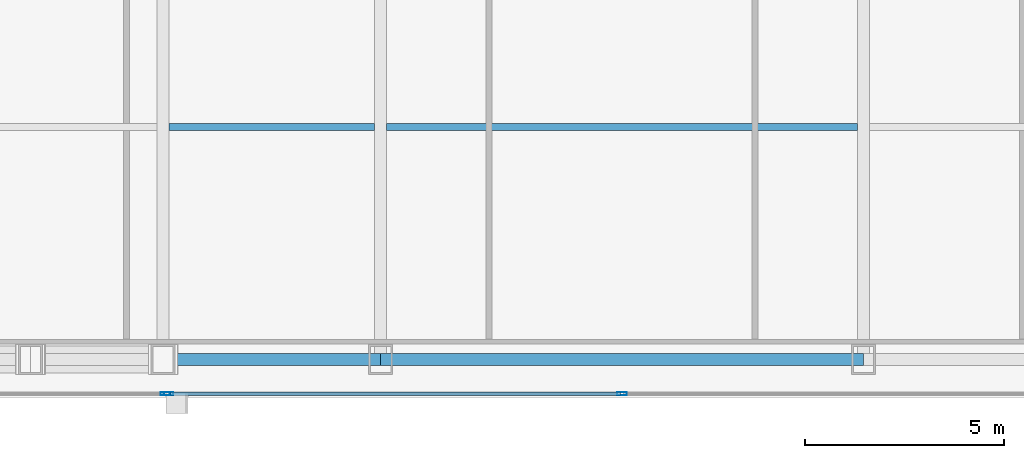
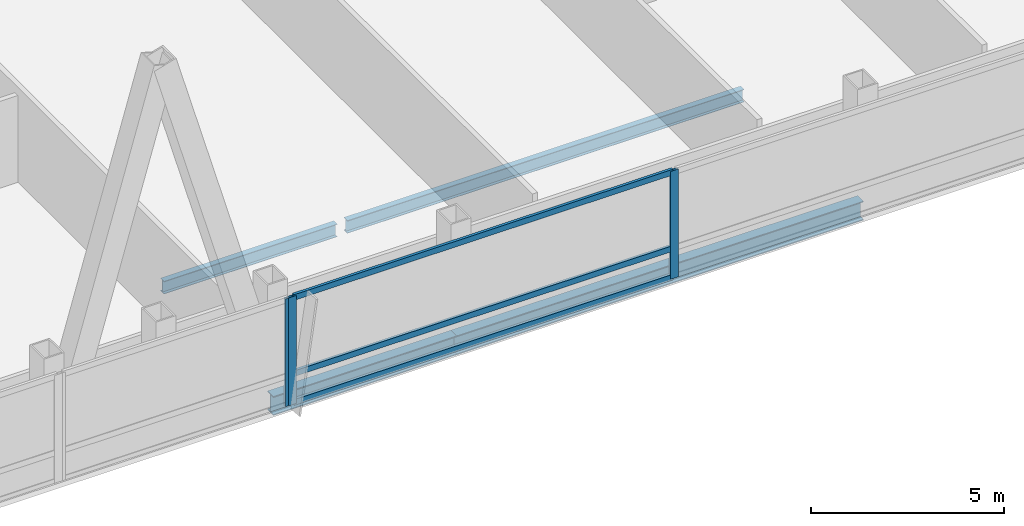
# One storey, part 8 of 31: 6 members, 4 beams, 2 elements without a shape of their own.
"""IFC4 building model written with IfcOpenShell, lengths in metres."""

from ifc_helpers import new_model, si_unit, direction, frame, origin, origin_2d, place, context, subcontext, project, spatial, hollow_rectangle, i_section, extrude, material, material_profile, profile_set, type_object, element, aggregate, save


model = new_model("IFC4")

# Units and contexts
model_context = context("Model", 3, precision=1e-05, world=origin(), true_north=direction((0.0, 1.0)))
body_context = subcontext(model_context, "Body", "Model", "MODEL_VIEW")
ifc_project = project(units=[si_unit("LENGTHUNIT", "METRE"), si_unit("AREAUNIT", "SQUARE_METRE"), si_unit("VOLUMEUNIT", "CUBIC_METRE"), si_unit("PLANEANGLEUNIT", "RADIAN"), si_unit("MASSUNIT", "GRAM", prefix="KILO")], contexts=[model_context])

# Site, building, storey
site_placement = place(None, origin())
site = spatial("IfcSite", under=ifc_project, at=site_placement, CompositionType="ELEMENT")
building_placement = place(site_placement, origin())
building = spatial("IfcBuilding", under=site, at=building_placement, Name="Khoronbel Lancet Exchange", CompositionType="ELEMENT")
storey_placement = place(building_placement, frame((0.0, 0.0, 261.800048828125)))
storey = spatial("IfcBuildingStorey", under=building, at=storey_placement, Name="L67", CompositionType="ELEMENT", Elevation=261.800048828125)

# Beams
ifc_material_1 = material(Name="Steel S355", Category="steel")
ifc_material_profile_1 = material_profile(ifc_material_1, i_section(OverallWidth=0.179931640625, OverallDepth=0.39990234375, WebThickness=0.008544921875, FlangeThickness=0.013427734375, at=origin_2d()), Name="IPE 400")
ifc_profile_set_1 = profile_set([ifc_material_profile_1], Name="Steel S355")
beam_type_1 = type_object("IfcBeamType", Name="BM-BJ5", PredefinedType="JOIST", material=ifc_profile_set_1)
beam_1_placement = place(storey_placement, frame((25.050048828125, 16.0, -0.360107421875), z_axis=(1.0, 0.0, 0.0), x_axis=(0.0, 1.0, 0.0)))
element("IfcBeam", 1, at=beam_1_placement, inside=storey, type_object=beam_type_1, Name="Level L67 secondary composite joist J02", PredefinedType="JOIST", context=body_context, shape_type="SweptSolid", body=[
    extrude(i_section(OverallWidth=0.179931640625, OverallDepth=0.39990234375, WebThickness=0.008544921875, FlangeThickness=0.013427734375, at=origin_2d()), origin(), (0.0, 0.0, 1.0), 5.175048828125),
])
beam_2_placement = place(storey_placement, frame((30.52490234375, 16.0, -0.360107421875), z_axis=(1.0, 0.0, 0.0), x_axis=(0.0, 1.0, 0.0)))
element("IfcBeam", 2, at=beam_2_placement, inside=storey, type_object=beam_type_1, Name="Level L67 secondary composite joist J03", PredefinedType="JOIST", context=body_context, shape_type="SweptSolid", body=[
    extrude(i_section(OverallWidth=0.179931640625, OverallDepth=0.39990234375, WebThickness=0.008544921875, FlangeThickness=0.013427734375, at=origin_2d()), origin(), (0.0, 0.0, 1.0), 11.85009765625),
])
ifc_material_profile_2 = material_profile(ifc_material_1, i_section(OverallWidth=0.300048828125, OverallDepth=0.60009765625, WebThickness=0.015380859375, FlangeThickness=0.030029296875, at=origin_2d()), Name="HEB 600")
ifc_profile_set_2 = profile_set([ifc_material_profile_2], Name="Steel S355")
beam_type_2 = type_object("IfcBeamType", Name="BM-BSP2", PredefinedType="SPANDREL", material=ifc_profile_set_2)
beam_3_placement = place(storey_placement, frame((24.89990234375, 10.14990234375, -0.4599609375), z_axis=(1.0, 0.0, 0.0), x_axis=(0.0, 1.0, 0.0)))
element("IfcBeam", 3, at=beam_3_placement, inside=storey, type_object=beam_type_2, Name="Level L67 perimeter spandrel beam SP04", PredefinedType="SPANDREL", context=body_context, shape_type="SweptSolid", body=[
    extrude(i_section(OverallWidth=0.300048828125, OverallDepth=0.60009765625, WebThickness=0.015380859375, FlangeThickness=0.030029296875, at=origin_2d()), origin(), (0.0, 0.0, 1.0), 5.47509765625),
])
beam_4_placement = place(storey_placement, frame((30.375, 10.14990234375, -0.4599609375), z_axis=(1.0, 0.0, 0.0), x_axis=(0.0, 1.0, 0.0)))
element("IfcBeam", 4, at=beam_4_placement, inside=storey, type_object=beam_type_2, Name="Level L67 perimeter spandrel beam SP05", PredefinedType="SPANDREL", context=body_context, shape_type="SweptSolid", body=[
    extrude(i_section(OverallWidth=0.300048828125, OverallDepth=0.60009765625, WebThickness=0.015380859375, FlangeThickness=0.030029296875, at=origin_2d()), origin(), (0.0, 0.0, 1.0), 12.14990234375),
])

# Curtain wall, member
ifc_material_2 = material(Name="Low-E Solar Control Insulating Glass", Category="glass")
curtain_wall_type = type_object("IfcCurtainWallType", Name="CW-3", PredefinedType="NOTDEFINED", material=ifc_material_2)
curtain_wall_1_placement = place(storey_placement, origin())
curtain_wall_1 = element("IfcCurtainWall", 5, at=curtain_wall_1_placement, inside=storey, type_object=curtain_wall_type, Name="Unitised curtain wall CW-L67-SWB", PredefinedType="NOTDEFINED")
ifc_material_3 = material(Name="Bronze-Anodised Aluminium 6063-T6", Category="aluminium")
ifc_material_profile_3 = material_profile(ifc_material_3, hollow_rectangle(XDim=0.0849609375, YDim=0.239990234375, WallThickness=0.006103515625, at=origin_2d()), Name="ALU MULLION 85x240")
ifc_profile_set_3 = profile_set([ifc_material_profile_3], Name="Bronze-Anodised Aluminium 6063-T6")
member_type_1 = type_object("IfcMemberType", Name="MEM-CWM1", PredefinedType="MULLION", material=ifc_profile_set_3)
member_1_placement = place(storey_placement, frame((24.95751953125, 9.2900390625, 0.0), z_axis=(0.0, 0.0, 1.0), x_axis=(0.0, 1.0, 0.0)))
member_1 = element("IfcMember", 6, at=member_1_placement, type_object=member_type_1, Name="CW3 mullion 2", PredefinedType="MULLION", context=body_context, shape_type="SweptSolid", body=[
    extrude(hollow_rectangle(XDim=0.0849609375, YDim=0.239990234375, WallThickness=0.006103515625, at=origin_2d()), origin(), (0.0, 0.0, 1.0), 3.39990234375),
])
aggregate(curtain_wall_1, [member_1])

# Curtain wall, members
curtain_wall_2_placement = place(storey_placement, origin())
curtain_wall_2 = element("IfcCurtainWall", 7, at=curtain_wall_2_placement, inside=storey, type_object=curtain_wall_type, Name="Unitised curtain wall CW-L67-SCV", PredefinedType="NOTDEFINED")
member_2_placement = place(storey_placement, frame((25.04248046875, 9.2900390625, 0.0), z_axis=(0.0, 0.0, 1.0), x_axis=(0.0, 1.0, 0.0)))
member_2 = element("IfcMember", 8, at=member_2_placement, type_object=member_type_1, Name="CW3 mullion 1", PredefinedType="MULLION", context=body_context, shape_type="SweptSolid", body=[
    extrude(hollow_rectangle(XDim=0.0849609375, YDim=0.239990234375, WallThickness=0.006103515625, at=origin_2d()), origin(), (0.0, 0.0, 1.0), 3.39990234375),
])
member_3_placement = place(storey_placement, frame((36.449951171875, 9.2900390625, 0.0), z_axis=(0.0, 0.0, 1.0), x_axis=(0.0, 1.0, 0.0)))
member_3 = element("IfcMember", 9, at=member_3_placement, type_object=member_type_1, Name="CW3 mullion 2", PredefinedType="MULLION", context=body_context, shape_type="SweptSolid", body=[
    extrude(hollow_rectangle(XDim=0.0849609375, YDim=0.239990234375, WallThickness=0.006103515625, at=origin_2d()), origin(), (0.0, 0.0, 1.0), 3.39990234375),
])
ifc_material_profile_4 = material_profile(ifc_material_3, hollow_rectangle(XDim=0.0849609375, YDim=0.179931640625, WallThickness=0.0048828125, at=origin_2d()), Name="ALU TRANSOM 85x180")
ifc_profile_set_4 = profile_set([ifc_material_profile_4], Name="Bronze-Anodised Aluminium 6063-T6")
member_type_2 = type_object("IfcMemberType", Name="MEM-CWT1", PredefinedType="USERDEFINED", material=ifc_profile_set_4)
member_4_placement = place(storey_placement, frame((25.0849609375, 9.2900390625, 0.04248046875), z_axis=(1.0, 0.0, 0.0), x_axis=(0.0, 1.0, 0.0)))
member_4 = element("IfcMember", 10, at=member_4_placement, type_object=member_type_2, Name="CW3 transom 1.1", ObjectType="TRANSOM", PredefinedType="USERDEFINED", context=body_context, shape_type="SweptSolid", body=[
    extrude(hollow_rectangle(XDim=0.0849609375, YDim=0.179931640625, WallThickness=0.0048828125, at=origin_2d()), origin(), (0.0, 0.0, 1.0), 11.322509765625),
])
member_5_placement = place(storey_placement, frame((25.0849609375, 9.2900390625, 0.949951171875), z_axis=(1.0, 0.0, 0.0), x_axis=(0.0, 1.0, 0.0)))
member_5 = element("IfcMember", 11, at=member_5_placement, type_object=member_type_2, Name="CW3 transom 1.2", ObjectType="TRANSOM", PredefinedType="USERDEFINED", context=body_context, shape_type="SweptSolid", body=[
    extrude(hollow_rectangle(XDim=0.0849609375, YDim=0.179931640625, WallThickness=0.0048828125, at=origin_2d()), origin(), (0.0, 0.0, 1.0), 11.322509765625),
])
member_6_placement = place(storey_placement, frame((25.0849609375, 9.2900390625, 3.357421875), z_axis=(1.0, 0.0, 0.0), x_axis=(0.0, 1.0, 0.0)))
member_6 = element("IfcMember", 12, at=member_6_placement, type_object=member_type_2, Name="CW3 transom 1.3", ObjectType="TRANSOM", PredefinedType="USERDEFINED", context=body_context, shape_type="SweptSolid", body=[
    extrude(hollow_rectangle(XDim=0.0849609375, YDim=0.179931640625, WallThickness=0.0048828125, at=origin_2d()), origin(), (0.0, 0.0, 1.0), 11.322509765625),
])
aggregate(curtain_wall_2, [member_2, member_3, member_4, member_5, member_6])

save(model, "model.ifc")
